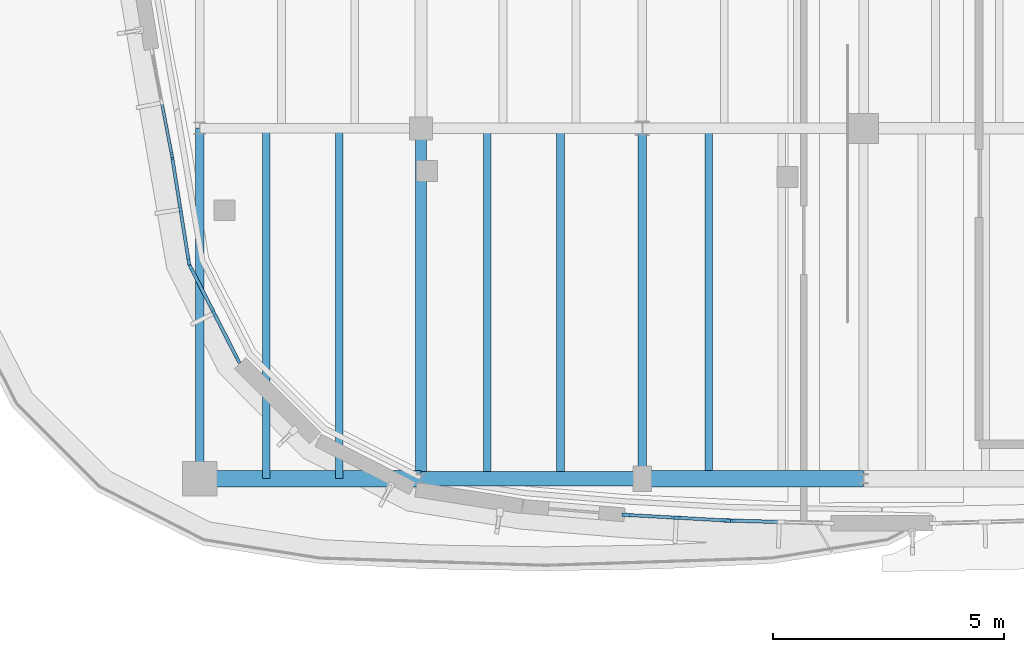
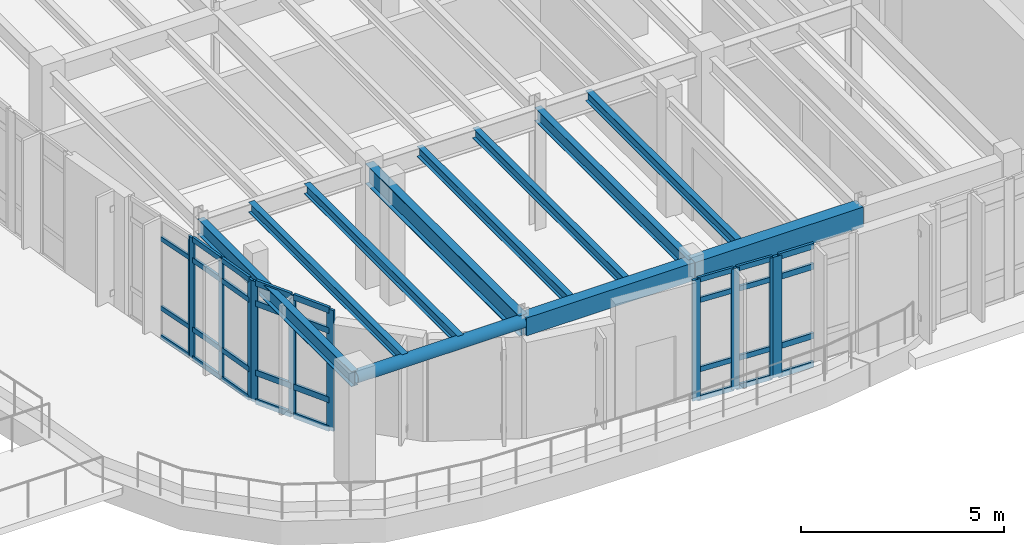
# One storey, part 40 of 105: 42 members, 11 beams, 5 elements without a shape of their own.
"""IFC4 building model written with IfcOpenShell, lengths in metres."""

import ifcopenshell
import ifcopenshell.guid

model = None  # the IFC model being written
_history = None  # IfcOwnerHistory: only IFC2X3 demands one
_inside = {}  # id of a spatial element -> (the spatial element, [elements in it])
_under = {}  # id of a project, library or spatial element -> (it, [spatial elements below it])
_declared = {}  # id of a project -> (the project, [libraries it declares])
_typed = {}  # id of a type object -> (the type object, [elements of that type])
_made_of = {}  # id of a material, layer set ... -> (it, [elements and type objects made of it])


def new_model(schema):
    """Start an empty IFC model of exactly this schema.

    Asked for "IFC4X3", IfcOpenShell would pick the latest addendum, in which some entities
    have other attributes; the version numbers below select the first issue.
    IFC2X3 requires an IfcOwnerHistory on every rooted entity: one is made here for all.
    """
    global model, _history
    if schema == "IFC4X3":
        model = ifcopenshell.file(schema_version=(4, 3, 0, 0))
    else:
        model = ifcopenshell.file(schema=schema)
    _inside.clear()
    _under.clear()
    _declared.clear()
    _typed.clear()
    _made_of.clear()
    _history = None
    if model.schema == "IFC2X3":
        org = make("IfcOrganization", Name="unknown")
        user = make(
            "IfcPersonAndOrganization",
            ThePerson=make("IfcPerson", FamilyName="unknown"),
            TheOrganization=org,
        )
        app = make(
            "IfcApplication",
            ApplicationDeveloper=org,
            Version="unknown",
            ApplicationFullName="unknown",
            ApplicationIdentifier="unknown",
        )
        _history = make(
            "IfcOwnerHistory",
            OwningUser=user,
            OwningApplication=app,
            ChangeAction="ADDED",
            CreationDate=0,
        )
    return model


def make(cls, **values):
    """One entity of the class cls with the attributes given. An attribute that is None is left unset."""
    return model.create_entity(
        cls, **{name: value for name, value in values.items() if value is not None}
    )


def rooted(cls, **values):
    """An entity with a GlobalId (a new one), such as an element, a storey or a relation."""
    return make(cls, GlobalId=ifcopenshell.guid.new(), OwnerHistory=_history, **values)


def si_unit(unit_type, name, prefix=None):
    """IfcSIUnit, for example si_unit("LENGTHUNIT", "METRE", prefix="MILLI")."""
    return make("IfcSIUnit", UnitType=unit_type, Prefix=prefix, Name=name)


def assignment(units):
    """IfcUnitAssignment: the units of a project."""
    return None if units is None else make("IfcUnitAssignment", Units=units)


def point(xyz):
    """IfcCartesianPoint."""
    return None if xyz is None else make("IfcCartesianPoint", Coordinates=xyz)


def direction(xyz):
    """IfcDirection."""
    return None if xyz is None else make("IfcDirection", DirectionRatios=xyz)


def frame(location, z_axis=None, x_axis=None):
    """IfcAxis2Placement3D, a coordinate frame: its origin and axes. An axis left out is left unset."""
    return make(
        "IfcAxis2Placement3D",
        Location=point(location),
        Axis=direction(z_axis),
        RefDirection=direction(x_axis),
    )


def frame_2d(location, x_axis=None):
    """IfcAxis2Placement2D, a coordinate frame in the plane: its origin and x axis."""
    return make(
        "IfcAxis2Placement2D", Location=point(location), RefDirection=direction(x_axis)
    )


def origin():
    """The frame at (0, 0, 0) with its axes left unset."""
    return frame((0.0, 0.0, 0.0))


def origin_2d():
    """The frame at (0, 0) in the plane with its x axis left unset."""
    return frame_2d((0.0, 0.0))


def place(relative_to, where):
    """IfcLocalPlacement: puts the frame where relative to a parent placement (None: the world)."""
    return make(
        "IfcLocalPlacement", PlacementRelTo=relative_to, RelativePlacement=where
    )


def context(
    kind, dimensions, precision=None, world=None, true_north=None, identifier=None
):
    """IfcGeometricRepresentationContext, for example the 3D "Model" context."""
    return make(
        "IfcGeometricRepresentationContext",
        ContextIdentifier=identifier,
        ContextType=kind,
        CoordinateSpaceDimension=dimensions,
        Precision=precision,
        WorldCoordinateSystem=world,
        TrueNorth=true_north,
    )


def subcontext(parent, identifier, kind, view, scale=None):
    """IfcGeometricRepresentationSubContext, for example "Body" below "Model"."""
    return make(
        "IfcGeometricRepresentationSubContext",
        ContextIdentifier=identifier,
        ContextType=kind,
        ParentContext=parent,
        TargetScale=scale,
        TargetView=view,
    )


def project(units=None, contexts=None):
    """IfcProject with its units and contexts."""
    return rooted(
        "IfcProject",
        Name="project",
        RepresentationContexts=contexts,
        UnitsInContext=assignment(units),
    )


def spatial(cls, under=None, at=None, **own):
    """A site, building, storey or space (cls), placed at a placement, below another one or the project."""
    s = rooted(cls, ObjectPlacement=at, **own)
    if under is not None:
        _under.setdefault(under.id(), (under, []))[1].append(s)
    return s


def profile(cls, at=None, kind="AREA", **sizes):
    """A parametric profile (cls). Its sizes go by their IFC names, for example OverallWidth=200.0."""
    return make(cls, ProfileType=kind, Position=at, **sizes)


def rectangle(**sizes):
    """IfcRectangleProfileDef."""
    return profile("IfcRectangleProfileDef", **sizes)


def hollow_circle(**sizes):
    """IfcCircleHollowProfileDef."""
    return profile("IfcCircleHollowProfileDef", **sizes)


def i_section(**sizes):
    """IfcIShapeProfileDef."""
    return profile("IfcIShapeProfileDef", **sizes)


def extrude(swept, where, along, depth):
    """IfcExtrudedAreaSolid: the profile swept, set in the frame where, extruded along a direction by depth."""
    return make(
        "IfcExtrudedAreaSolid",
        SweptArea=swept,
        Position=where,
        ExtrudedDirection=direction(along),
        Depth=depth,
    )


def shape(context_of_items, identifier, shape_type, items):
    """IfcShapeRepresentation: the items that make up one representation, for example the "Body"."""
    return make(
        "IfcShapeRepresentation",
        ContextOfItems=context_of_items,
        RepresentationIdentifier=identifier,
        RepresentationType=shape_type,
        Items=items,
    )


def material(Name=None, Category=None):
    """IfcMaterial."""
    return make("IfcMaterial", Name=Name, Category=Category)


def material_profile(
    of_material, cross_section, Name=None, Category=None, Priority=None
):
    """IfcMaterialProfile: a cross section and its material."""
    return make(
        "IfcMaterialProfile",
        Name=Name,
        Material=of_material,
        Profile=cross_section,
        Priority=Priority,
        Category=Category,
    )


def profile_set(profiles, Name=None, composite=None):
    """IfcMaterialProfileSet."""
    return make(
        "IfcMaterialProfileSet",
        Name=Name,
        MaterialProfiles=profiles,
        CompositeProfile=composite,
    )


def made_of(thing, what):
    """Note that an element or type object is made of a material, layer set ...; save() writes the relation."""
    if what is not None:
        _made_of.setdefault(what.id(), (what, []))[1].append(thing)
    return thing


def type_object(cls, material=None, **own):
    """A type object (cls), such as IfcWallType, which elements share."""
    return made_of(rooted(cls, **own), material)


def element(
    cls,
    number,
    at=None,
    inside=None,
    cuts=None,
    type_object=None,
    material=None,
    context=None,
    identifier="Body",
    shape_type=None,
    held_by="IfcProductDefinitionShape",
    body=None,
    shapes=None,
    **own,
):
    """One element of the class cls, such as IfcWall. Its Tag is "e" and its number.

    at: its placement. inside: the storey or other place that contains it. cuts: it is an
    opening in that element (IfcRelVoidsElement). A single representation is given by context,
    identifier, shape_type and body (its items); several are given by shapes. held_by: the class
    of the entity that holds the representations. save() writes the other relations.
    """
    e = rooted(cls, Tag="e%d" % number, ObjectPlacement=at, **own)
    if body is not None:
        shapes = [shape(context, identifier, shape_type, body)]
    if shapes is not None:
        e.Representation = make(held_by, Representations=shapes)
    if inside is not None:
        _inside.setdefault(inside.id(), (inside, []))[1].append(e)
    if cuts is not None:
        rooted(
            "IfcRelVoidsElement", RelatingBuildingElement=cuts, RelatedOpeningElement=e
        )
    if type_object is not None:
        _typed.setdefault(type_object.id(), (type_object, []))[1].append(e)
    return made_of(e, material)


def aggregate(whole, parts):
    """IfcRelAggregates: a whole, such as a stair, and the parts it consists of."""
    return rooted("IfcRelAggregates", RelatingObject=whole, RelatedObjects=parts)


def save(model, path):
    """Write the relations noted so far, then the file.

    IfcRelAggregates (storeys below a building ...), IfcRelContainedInSpatialStructure (elements
    in a storey), IfcRelDefinesByType, IfcRelAssociatesMaterial and IfcRelDeclares: one each for
    every whole, place, type object, material and project.
    """
    for whole, parts in _under.values():
        aggregate(whole, parts)
    for where, things in _inside.values():
        rooted(
            "IfcRelContainedInSpatialStructure",
            RelatedElements=things,
            RelatingStructure=where,
        )
    for kind, things in _typed.values():
        rooted("IfcRelDefinesByType", RelatedObjects=things, RelatingType=kind)
    for what, things in _made_of.values():
        rooted("IfcRelAssociatesMaterial", RelatedObjects=things, RelatingMaterial=what)
    for by, libraries in _declared.values():
        rooted("IfcRelDeclares", RelatingContext=by, RelatedDefinitions=libraries)
    model.write(path)


model = new_model("IFC4")

# Units and contexts
model_context = context("Model", 3, precision=1e-05, world=origin(), true_north=direction((0.0, 1.0)))
body_context = subcontext(model_context, "Body", "Model", "MODEL_VIEW")
ifc_project = project(units=[si_unit("LENGTHUNIT", "METRE"), si_unit("AREAUNIT", "SQUARE_METRE"), si_unit("VOLUMEUNIT", "CUBIC_METRE"), si_unit("PLANEANGLEUNIT", "RADIAN"), si_unit("MASSUNIT", "GRAM", prefix="KILO")], contexts=[model_context])

# Site, building, storey
site_placement = place(None, origin())
site = spatial("IfcSite", under=ifc_project, at=site_placement, CompositionType="ELEMENT")
building_placement = place(site_placement, origin())
building = spatial("IfcBuilding", under=site, at=building_placement, Name="Corveleigh Park Community Centre", CompositionType="ELEMENT")
storey_placement = place(building_placement, frame((0.0, 0.0, 8.699951171875)))
storey = spatial("IfcBuildingStorey", under=building, at=storey_placement, Name="L02", CompositionType="ELEMENT", Elevation=8.699951171875)

# Beams
ifc_material_1 = material(Name="Steel S355", Category="steel")
ifc_material_profile_1 = material_profile(ifc_material_1, i_section(OverallWidth=0.1650390625, OverallDepth=0.303466796875, WebThickness=0.006103515625, FlangeThickness=0.01025390625, at=origin_2d()), Name="UKB 305x165x40", Category="steel")
ifc_profile_set_1 = profile_set([ifc_material_profile_1], Name="Steel S355")
beam_type_1 = type_object("IfcBeamType", Name="BM-STL-UKB305x40", PredefinedType="JOIST", material=ifc_profile_set_1)
for number, where, z_axis, x_axis, name in (
    (1, (140.840087890625, 58.60498046875, 3.4853515625), (0.0, 1.0, 0.0), (-1.0, 0.0, 0.0), "Secondary floor joist"),
    (2, (142.424072265625, 58.60498046875, 3.4853515625), (0.0, 1.0, 0.0), (-1.0, 0.0, 0.0), "Secondary floor joist"),
):
    element("IfcBeam", number, at=place(storey_placement, frame(where, z_axis=z_axis, x_axis=x_axis)), inside=storey, type_object=beam_type_1, Name=name, PredefinedType="JOIST", context=body_context, shape_type="SweptSolid", body=[
        extrude(i_section(OverallWidth=0.1650390625, OverallDepth=0.303466796875, WebThickness=0.006103515625, FlangeThickness=0.01025390625, at=origin_2d()), origin(), (0.0, 0.0, 1.0), 7.590087890625),
    ])
ifc_material_profile_2 = material_profile(ifc_material_1, i_section(OverallWidth=0.165771484375, OverallDepth=0.306640625, WebThickness=0.006591796875, FlangeThickness=0.01171875, at=origin_2d()), Name="UKB 305x165x46", Category="steel")
ifc_profile_set_2 = profile_set([ifc_material_profile_2], Name="Steel S355")
beam_type_2 = type_object("IfcBeamType", Name="BM-STL-UKB305x46", PredefinedType="JOIST", material=ifc_profile_set_2)
for number, where, z_axis, x_axis, name in (
    (3, (145.639892578125, 58.60498046875, 3.483642578125), (0.0, 1.0, 0.0), (-1.0, 0.0, 0.0), "Secondary floor joist"),
    (4, (147.22412109375, 58.60498046875, 3.483642578125), (0.0, 1.0, 0.0), (-1.0, 0.0, 0.0), "Secondary floor joist"),
):
    element("IfcBeam", number, at=place(storey_placement, frame(where, z_axis=z_axis, x_axis=x_axis)), inside=storey, type_object=beam_type_2, Name=name, PredefinedType="JOIST", context=body_context, shape_type="SweptSolid", body=[
        extrude(i_section(OverallWidth=0.165771484375, OverallDepth=0.306640625, WebThickness=0.006591796875, FlangeThickness=0.01171875, at=origin_2d()), origin(), (0.0, 0.0, 1.0), 7.590087890625),
    ])
ifc_material_profile_3 = material_profile(ifc_material_1, i_section(OverallWidth=0.1669921875, OverallDepth=0.310302734375, WebThickness=0.0078125, FlangeThickness=0.013671875, at=origin_2d()), Name="UKB 305x165x54", Category="steel")
ifc_profile_set_3 = profile_set([ifc_material_profile_3], Name="Steel S355")
beam_type_3 = type_object("IfcBeamType", Name="BM-STL-UKB305x54", PredefinedType="JOIST", material=ifc_profile_set_3)
beam_1_placement = place(storey_placement, frame((150.43994140625, 58.60498046875, 3.48193359375), z_axis=(0.0, 1.0, 0.0), x_axis=(-1.0, 0.0, 0.0)))
element("IfcBeam", 5, at=beam_1_placement, inside=storey, type_object=beam_type_3, Name="Secondary floor joist", PredefinedType="JOIST", context=body_context, shape_type="SweptSolid", body=[
    extrude(i_section(OverallWidth=0.1669921875, OverallDepth=0.310302734375, WebThickness=0.0078125, FlangeThickness=0.013671875, at=origin_2d()), origin(), (0.0, 0.0, 1.0), 7.590087890625),
])
ifc_material_profile_4 = material_profile(ifc_material_1, i_section(OverallWidth=0.177978515625, OverallDepth=0.406494140625, WebThickness=0.0078125, FlangeThickness=0.0126953125, at=origin_2d()), Name="UKB 406x178x60", Category="steel")
ifc_profile_set_4 = profile_set([ifc_material_profile_4], Name="Steel S355")
beam_type_4 = type_object("IfcBeamType", Name="BM-STL-UKB406x60", PredefinedType="BEAM", material=ifc_profile_set_4)
beam_2_placement = place(storey_placement, frame((149.0, 58.60498046875, 3.433837890625), z_axis=(0.0, 1.0, 0.0), x_axis=(-1.0, 0.0, 0.0)))
element("IfcBeam", 6, at=beam_2_placement, inside=storey, type_object=beam_type_4, Name="V4 Girder Y", PredefinedType="BEAM", context=body_context, shape_type="SweptSolid", body=[
    extrude(i_section(OverallWidth=0.177978515625, OverallDepth=0.406494140625, WebThickness=0.0078125, FlangeThickness=0.0126953125, at=origin_2d()), origin(), (0.0, 0.0, 1.0), 7.590087890625),
])
ifc_material_profile_5 = material_profile(ifc_material_1, i_section(OverallWidth=0.19140625, OverallDepth=0.4599609375, WebThickness=0.010009765625, FlangeThickness=0.01611328125, at=origin_2d()), Name="UKB 457x191x82", Category="steel")
ifc_profile_set_5 = profile_set([ifc_material_profile_5], Name="Steel S355")
beam_type_5 = type_object("IfcBeamType", Name="BM-STL-UKB457x82", PredefinedType="BEAM", material=ifc_profile_set_5)
beam_3_placement = place(storey_placement, frame((139.39990234375, 58.60498046875, 3.406982421875), z_axis=(0.0, 1.0, 0.0), x_axis=(-1.0, 0.0, 0.0)))
element("IfcBeam", 7, at=beam_3_placement, inside=storey, type_object=beam_type_5, Name="V4 Girder Y", PredefinedType="BEAM", context=body_context, shape_type="SweptSolid", body=[
    extrude(i_section(OverallWidth=0.19140625, OverallDepth=0.4599609375, WebThickness=0.010009765625, FlangeThickness=0.01611328125, at=origin_2d()), origin(), (0.0, 0.0, 1.0), 7.590087890625),
])
ifc_material_profile_6 = material_profile(ifc_material_1, i_section(OverallWidth=0.22900390625, OverallDepth=0.6123046875, WebThickness=0.011962890625, FlangeThickness=0.01953125, at=origin_2d()), Name="UKB 610x229x125", Category="steel")
ifc_profile_set_6 = profile_set([ifc_material_profile_6], Name="Steel S355")
beam_type_6 = type_object("IfcBeamType", Name="BM-STL-UKB610x125", PredefinedType="BEAM", material=ifc_profile_set_6)
beam_4_placement = place(storey_placement, frame((144.199951171875, 58.60498046875, 3.3310546875), z_axis=(0.0, 1.0, 0.0), x_axis=(-1.0, 0.0, 0.0)))
element("IfcBeam", 8, at=beam_4_placement, inside=storey, type_object=beam_type_6, Name="V4 Girder Y", PredefinedType="BEAM", context=body_context, shape_type="SweptSolid", body=[
    extrude(i_section(OverallWidth=0.22900390625, OverallDepth=0.6123046875, WebThickness=0.011962890625, FlangeThickness=0.01953125, at=origin_2d()), origin(), (0.0, 0.0, 1.0), 7.590087890625),
])

# Curtain wall, member
ifc_material_2 = material(Name="Anodised aluminium 6063-T6", Category="aluminium")
curtain_wall_type = type_object("IfcCurtainWallType", Name="CW-SYS-V4-L01", PredefinedType="NOTDEFINED", material=ifc_material_2)
curtain_wall_1_placement = place(storey_placement, origin())
curtain_wall_1 = element("IfcCurtainWall", 9, at=curtain_wall_1_placement, inside=storey, type_object=curtain_wall_type, Name="V4 L02 Curtain Wall 397", PredefinedType="NOTDEFINED")
ifc_material_profile_7 = material_profile(ifc_material_2, rectangle(XDim=0.06005859375, YDim=0.159912109375, at=origin_2d()), Name="ALU-M60x160", Category="aluminium")
ifc_profile_set_7 = profile_set([ifc_material_profile_7], Name="Anodised aluminium 6063-T6")
member_type_1 = type_object("IfcMemberType", Name="CWM-60x160", PredefinedType="MULLION", material=ifc_profile_set_7)
member_1_placement = place(storey_placement, frame((138.792236328125, 65.638427734375, 0.0), z_axis=(0.0, 0.0, 1.0), x_axis=(-0.981960439775, -0.189086474176, 0.0)))
member_1 = element("IfcMember", 10, at=member_1_placement, type_object=member_type_1, Name="CW08 mullion 1", PredefinedType="MULLION", context=body_context, shape_type="SweptSolid", body=[
    extrude(rectangle(XDim=0.06005859375, YDim=0.159912109375, at=origin_2d()), origin(), (0.0, 0.0, 1.0), 3.636962890625),
])

# Curtain wall, members
curtain_wall_2_placement = place(storey_placement, origin())
curtain_wall_2 = element("IfcCurtainWall", 11, at=curtain_wall_2_placement, inside=storey, type_object=curtain_wall_type, Name="V4 L02 Curtain Wall 398", PredefinedType="NOTDEFINED")
ifc_material_profile_8 = material_profile(ifc_material_2, rectangle(XDim=0.06494140625, YDim=0.179931640625, at=origin_2d()), Name="ALU-M65x180", Category="aluminium")
ifc_profile_set_8 = profile_set([ifc_material_profile_8], Name="Anodised aluminium 6063-T6")
member_type_2 = type_object("IfcMemberType", Name="CWM-65x180", PredefinedType="MULLION", material=ifc_profile_set_8)
member_2_placement = place(storey_placement, frame((139.160888671875, 63.321044921875, 0.0), z_axis=(0.0, 0.0, 1.0), x_axis=(-0.987661875101, -0.156601470208, 0.0)))
member_2 = element("IfcMember", 12, at=member_2_placement, type_object=member_type_2, Name="CW08 mullion 1", PredefinedType="MULLION", context=body_context, shape_type="SweptSolid", body=[
    extrude(rectangle(XDim=0.06494140625, YDim=0.179931640625, at=origin_2d()), origin(), (0.0, 0.0, 1.0), 3.636962890625),
])
member_3_placement = place(storey_placement, frame((138.9833984375, 64.43994140625, 0.0), z_axis=(0.0, 0.0, 1.0), x_axis=(-0.987661875101, -0.156601470208, 0.0)))
member_3 = element("IfcMember", 13, at=member_3_placement, type_object=member_type_2, Name="CW08 mullion 2", PredefinedType="MULLION", context=body_context, shape_type="SweptSolid", body=[
    extrude(rectangle(XDim=0.06494140625, YDim=0.179931640625, at=origin_2d()), origin(), (0.0, 0.0, 1.0), 3.636962890625),
])
member_4_placement = place(storey_placement, frame((138.80615234375, 65.558837890625, 0.0), z_axis=(0.0, 0.0, 1.0), x_axis=(-0.987661875101, -0.156601470208, 0.0)))
member_4 = element("IfcMember", 14, at=member_4_placement, type_object=member_type_2, Name="CW08 mullion 3", PredefinedType="MULLION", context=body_context, shape_type="SweptSolid", body=[
    extrude(rectangle(XDim=0.06494140625, YDim=0.179931640625, at=origin_2d()), origin(), (0.0, 0.0, 1.0), 3.636962890625),
])

curtain_wall_3_placement = place(storey_placement, origin())
curtain_wall_3 = element("IfcCurtainWall", 15, at=curtain_wall_3_placement, inside=storey, type_object=curtain_wall_type, Name="V4 L02 Curtain Wall 399", PredefinedType="NOTDEFINED")
ifc_material_profile_9 = material_profile(ifc_material_2, rectangle(XDim=0.070068359375, YDim=0.199951171875, at=origin_2d()), Name="ALU-M70x200", Category="aluminium")
ifc_profile_set_9 = profile_set([ifc_material_profile_9], Name="Anodised aluminium 6063-T6")
member_type_3 = type_object("IfcMemberType", Name="CWM-70x200", PredefinedType="MULLION", material=ifc_profile_set_9)
member_5_placement = place(storey_placement, frame((140.218017578125, 61.1982421875, 0.0), z_axis=(0.0, 0.0, 1.0), x_axis=(-0.8909233869, -0.454153628935, 0.0)))
member_5 = element("IfcMember", 16, at=member_5_placement, type_object=member_type_3, Name="CW08 mullion 1", PredefinedType="MULLION", context=body_context, shape_type="SweptSolid", body=[
    extrude(rectangle(XDim=0.070068359375, YDim=0.199951171875, at=origin_2d()), origin(), (0.0, 0.0, 1.0), 3.636962890625),
])
member_6_placement = place(storey_placement, frame((139.71142578125, 62.19189453125, 0.0), z_axis=(0.0, 0.0, 1.0), x_axis=(-0.8909233869, -0.454153628935, 0.0)))
member_6 = element("IfcMember", 17, at=member_6_placement, type_object=member_type_3, Name="CW08 mullion 2", PredefinedType="MULLION", context=body_context, shape_type="SweptSolid", body=[
    extrude(rectangle(XDim=0.070068359375, YDim=0.199951171875, at=origin_2d()), origin(), (0.0, 0.0, 1.0), 3.636962890625),
])
member_7_placement = place(storey_placement, frame((139.204833984375, 63.185791015625, 0.0), z_axis=(0.0, 0.0, 1.0), x_axis=(-0.8909233869, -0.454153628935, 0.0)))
member_7 = element("IfcMember", 18, at=member_7_placement, type_object=member_type_3, Name="CW08 mullion 3", PredefinedType="MULLION", context=body_context, shape_type="SweptSolid", body=[
    extrude(rectangle(XDim=0.070068359375, YDim=0.199951171875, at=origin_2d()), origin(), (0.0, 0.0, 1.0), 3.636962890625),
])

curtain_wall_4_placement = place(storey_placement, origin())
curtain_wall_4 = element("IfcCurtainWall", 19, at=curtain_wall_4_placement, inside=storey, type_object=curtain_wall_type, Name="V4 L02 Curtain Wall 358", PredefinedType="NOTDEFINED")
ifc_material_profile_10 = material_profile(ifc_material_2, rectangle(XDim=0.074951171875, YDim=0.219970703125, at=origin_2d()), Name="ALU-M75x220", Category="aluminium")
ifc_profile_set_10 = profile_set([ifc_material_profile_10], Name="Anodised aluminium 6063-T6")
member_type_4 = type_object("IfcMemberType", Name="CWM-75x220", PredefinedType="MULLION", material=ifc_profile_set_10)
member_8_placement = place(storey_placement, frame((150.806640625, 57.695068359375, 0.0), z_axis=(0.0, 0.0, 1.0), x_axis=(-0.055545052181, -0.998456181902, 0.0)))
member_8 = element("IfcMember", 20, at=member_8_placement, type_object=member_type_4, Name="CW08 mullion 1", PredefinedType="MULLION", context=body_context, shape_type="SweptSolid", body=[
    extrude(rectangle(XDim=0.074951171875, YDim=0.219970703125, at=origin_2d()), origin(), (0.0, 0.0, 1.0), 3.636962890625),
])
member_9_placement = place(storey_placement, frame((149.738525390625, 57.75439453125, 0.0), z_axis=(0.0, 0.0, 1.0), x_axis=(-0.055545052181, -0.998456181902, 0.0)))
member_9 = element("IfcMember", 21, at=member_9_placement, type_object=member_type_4, Name="CW08 mullion 2", PredefinedType="MULLION", context=body_context, shape_type="SweptSolid", body=[
    extrude(rectangle(XDim=0.074951171875, YDim=0.219970703125, at=origin_2d()), origin(), (0.0, 0.0, 1.0), 3.636962890625),
])
member_10_placement = place(storey_placement, frame((148.67041015625, 57.81396484375, 0.0), z_axis=(0.0, 0.0, 1.0), x_axis=(-0.055545052181, -0.998456181902, 0.0)))
member_10 = element("IfcMember", 22, at=member_10_placement, type_object=member_type_4, Name="CW08 mullion 3", PredefinedType="MULLION", context=body_context, shape_type="SweptSolid", body=[
    extrude(rectangle(XDim=0.074951171875, YDim=0.219970703125, at=origin_2d()), origin(), (0.0, 0.0, 1.0), 3.636962890625),
])

# Curtain wall, member
curtain_wall_5_placement = place(storey_placement, origin())
curtain_wall_5 = element("IfcCurtainWall", 23, at=curtain_wall_5_placement, inside=storey, type_object=curtain_wall_type, Name="V4 L02 Curtain Wall 359", PredefinedType="NOTDEFINED")
ifc_material_profile_11 = material_profile(ifc_material_2, rectangle(XDim=0.080078125, YDim=0.25, at=origin_2d()), Name="ALU-M80x250", Category="aluminium")
ifc_profile_set_11 = profile_set([ifc_material_profile_11], Name="Anodised aluminium 6063-T6")
member_type_5 = type_object("IfcMemberType", Name="CWM-80x250", PredefinedType="MULLION", material=ifc_profile_set_11)
member_11_placement = place(storey_placement, frame((150.902099609375, 57.69189453125, 0.0), z_axis=(0.0, 0.0, 1.0), x_axis=(-0.028005278833, -0.999607775259, 0.0)))
member_11 = element("IfcMember", 24, at=member_11_placement, type_object=member_type_5, Name="CW08 mullion 3", PredefinedType="MULLION", context=body_context, shape_type="SweptSolid", body=[
    extrude(rectangle(XDim=0.080078125, YDim=0.25, at=origin_2d()), origin(), (0.0, 0.0, 1.0), 3.636962890625),
])

# Member
ifc_material_profile_12 = material_profile(ifc_material_2, rectangle(XDim=0.06494140625, YDim=0.139892578125, at=origin_2d()), Name="ALU-T65x140", Category="aluminium")
ifc_profile_set_12 = profile_set([ifc_material_profile_12], Name="Anodised aluminium 6063-T6")
member_type_6 = type_object("IfcMemberType", Name="CWT-65x140", PredefinedType="USERDEFINED", material=ifc_profile_set_12)
member_12_placement = place(storey_placement, frame((138.78662109375, 65.66796875, 0.032470703125), z_axis=(-0.189024561252, 0.981972359715, 0.0), x_axis=(-0.981972359715, -0.189024561252, 0.0)))
member_12 = element("IfcMember", 25, at=member_12_placement, type_object=member_type_6, Name="CW08 transom 1.1", ObjectType="TRANSOM", PredefinedType="USERDEFINED", context=body_context, shape_type="SweptSolid", body=[
    extrude(rectangle(XDim=0.06494140625, YDim=0.139892578125, at=origin_2d()), origin(), (0.0, 0.0, 1.0), 1.0732421875),
])

member_13_placement = place(storey_placement, frame((138.78662109375, 65.66796875, 0.900146484375), z_axis=(-0.189024561252, 0.981972359715, 0.0), x_axis=(-0.981972359715, -0.189024561252, 0.0)))
member_13 = element("IfcMember", 26, at=member_13_placement, type_object=member_type_6, Name="CW08 transom 1.2", ObjectType="TRANSOM", PredefinedType="USERDEFINED", context=body_context, shape_type="SweptSolid", body=[
    extrude(rectangle(XDim=0.06494140625, YDim=0.139892578125, at=origin_2d()), origin(), (0.0, 0.0, 1.0), 1.0732421875),
])

member_14_placement = place(storey_placement, frame((138.78662109375, 65.66796875, 2.987060546875), z_axis=(-0.189024561252, 0.981972359715, 0.0), x_axis=(-0.981972359715, -0.189024561252, 0.0)))
member_14 = element("IfcMember", 27, at=member_14_placement, type_object=member_type_6, Name="CW08 transom 1.3", ObjectType="TRANSOM", PredefinedType="USERDEFINED", context=body_context, shape_type="SweptSolid", body=[
    extrude(rectangle(XDim=0.06494140625, YDim=0.139892578125, at=origin_2d()), origin(), (0.0, 0.0, 1.0), 1.0732421875),
])

aggregate(curtain_wall_1, [member_1, member_12, member_13, member_14])

ifc_material_profile_13 = material_profile(ifc_material_2, rectangle(XDim=0.070068359375, YDim=0.155029296875, at=origin_2d()), Name="ALU-T70x155", Category="aluminium")
ifc_profile_set_13 = profile_set([ifc_material_profile_13], Name="Anodised aluminium 6063-T6")
member_type_7 = type_object("IfcMemberType", Name="CWT-70x155", PredefinedType="USERDEFINED", material=ifc_profile_set_13)
member_15_placement = place(storey_placement, frame((150.76904296875, 57.697265625, 0.03515625), z_axis=(-0.998460353205, 0.055470019623, 0.0), x_axis=(-0.055470019623, -0.998460353205, 0.0)))
member_15 = element("IfcMember", 28, at=member_15_placement, type_object=member_type_7, Name="CW08 transom 1.1", ObjectType="TRANSOM", PredefinedType="USERDEFINED", context=body_context, shape_type="SweptSolid", body=[
    extrude(rectangle(XDim=0.070068359375, YDim=0.155029296875, at=origin_2d()), origin(), (0.0, 0.0, 1.0), 0.99462890625),
])

member_16_placement = place(storey_placement, frame((150.76904296875, 57.697265625, 0.900146484375), z_axis=(-0.998460353205, 0.055470019623, 0.0), x_axis=(-0.055470019623, -0.998460353205, 0.0)))
member_16 = element("IfcMember", 29, at=member_16_placement, type_object=member_type_7, Name="CW08 transom 1.2", ObjectType="TRANSOM", PredefinedType="USERDEFINED", context=body_context, shape_type="SweptSolid", body=[
    extrude(rectangle(XDim=0.070068359375, YDim=0.155029296875, at=origin_2d()), origin(), (0.0, 0.0, 1.0), 0.99462890625),
])

member_17_placement = place(storey_placement, frame((150.76904296875, 57.697265625, 2.987060546875), z_axis=(-0.998460353205, 0.055470019623, 0.0), x_axis=(-0.055470019623, -0.998460353205, 0.0)))
member_17 = element("IfcMember", 30, at=member_17_placement, type_object=member_type_7, Name="CW08 transom 1.3", ObjectType="TRANSOM", PredefinedType="USERDEFINED", context=body_context, shape_type="SweptSolid", body=[
    extrude(rectangle(XDim=0.070068359375, YDim=0.155029296875, at=origin_2d()), origin(), (0.0, 0.0, 1.0), 0.99462890625),
])

member_18_placement = place(storey_placement, frame((150.76904296875, 57.697265625, 3.60205078125), z_axis=(-0.998460353205, 0.055470019623, 0.0), x_axis=(-0.055470019623, -0.998460353205, 0.0)))
member_18 = element("IfcMember", 31, at=member_18_placement, type_object=member_type_7, Name="CW08 transom 1.4", ObjectType="TRANSOM", PredefinedType="USERDEFINED", context=body_context, shape_type="SweptSolid", body=[
    extrude(rectangle(XDim=0.070068359375, YDim=0.155029296875, at=origin_2d()), origin(), (0.0, 0.0, 1.0), 0.99462890625),
])

member_19_placement = place(storey_placement, frame((149.701171875, 57.756591796875, 0.03515625), z_axis=(-0.998461108136, 0.055456429206, 0.0), x_axis=(-0.055456429206, -0.998461108136, 0.0)))
member_19 = element("IfcMember", 32, at=member_19_placement, type_object=member_type_7, Name="CW08 transom 2.1", ObjectType="TRANSOM", PredefinedType="USERDEFINED", context=body_context, shape_type="SweptSolid", body=[
    extrude(rectangle(XDim=0.070068359375, YDim=0.155029296875, at=origin_2d()), origin(), (0.0, 0.0, 1.0), 0.994873046875),
])

member_20_placement = place(storey_placement, frame((149.701171875, 57.756591796875, 0.900146484375), z_axis=(-0.998461108136, 0.055456429206, 0.0), x_axis=(-0.055456429206, -0.998461108136, 0.0)))
member_20 = element("IfcMember", 33, at=member_20_placement, type_object=member_type_7, Name="CW08 transom 2.2", ObjectType="TRANSOM", PredefinedType="USERDEFINED", context=body_context, shape_type="SweptSolid", body=[
    extrude(rectangle(XDim=0.070068359375, YDim=0.155029296875, at=origin_2d()), origin(), (0.0, 0.0, 1.0), 0.994873046875),
])

member_21_placement = place(storey_placement, frame((149.701171875, 57.756591796875, 2.987060546875), z_axis=(-0.998461108136, 0.055456429206, 0.0), x_axis=(-0.055456429206, -0.998461108136, 0.0)))
member_21 = element("IfcMember", 34, at=member_21_placement, type_object=member_type_7, Name="CW08 transom 2.3", ObjectType="TRANSOM", PredefinedType="USERDEFINED", context=body_context, shape_type="SweptSolid", body=[
    extrude(rectangle(XDim=0.070068359375, YDim=0.155029296875, at=origin_2d()), origin(), (0.0, 0.0, 1.0), 0.994873046875),
])

member_22_placement = place(storey_placement, frame((149.701171875, 57.756591796875, 3.60205078125), z_axis=(-0.998461108136, 0.055456429206, 0.0), x_axis=(-0.055456429206, -0.998461108136, 0.0)))
member_22 = element("IfcMember", 35, at=member_22_placement, type_object=member_type_7, Name="CW08 transom 2.4", ObjectType="TRANSOM", PredefinedType="USERDEFINED", context=body_context, shape_type="SweptSolid", body=[
    extrude(rectangle(XDim=0.070068359375, YDim=0.155029296875, at=origin_2d()), origin(), (0.0, 0.0, 1.0), 0.994873046875),
])

aggregate(curtain_wall_4, [member_8, member_9, member_10, member_15, member_16, member_17, member_18, member_19, member_20, member_21, member_22])

member_23_placement = place(storey_placement, frame((139.15576171875, 63.353271484375, 0.03515625), z_axis=(-0.15660825182, 0.9876607998, 0.0), x_axis=(-0.9876607998, -0.15660825182, 0.0)))
member_23 = element("IfcMember", 36, at=member_23_placement, type_object=member_type_7, Name="CW08 transom 1.1", ObjectType="TRANSOM", PredefinedType="USERDEFINED", context=body_context, shape_type="SweptSolid", body=[
    extrude(rectangle(XDim=0.070068359375, YDim=0.155029296875, at=origin_2d()), origin(), (0.0, 0.0, 1.0), 1.06787109375),
])

member_24_placement = place(storey_placement, frame((139.15576171875, 63.353271484375, 0.900146484375), z_axis=(-0.15660825182, 0.9876607998, 0.0), x_axis=(-0.9876607998, -0.15660825182, 0.0)))
member_24 = element("IfcMember", 37, at=member_24_placement, type_object=member_type_7, Name="CW08 transom 1.2", ObjectType="TRANSOM", PredefinedType="USERDEFINED", context=body_context, shape_type="SweptSolid", body=[
    extrude(rectangle(XDim=0.070068359375, YDim=0.155029296875, at=origin_2d()), origin(), (0.0, 0.0, 1.0), 1.06787109375),
])

member_25_placement = place(storey_placement, frame((139.15576171875, 63.353271484375, 2.987060546875), z_axis=(-0.15660825182, 0.9876607998, 0.0), x_axis=(-0.9876607998, -0.15660825182, 0.0)))
member_25 = element("IfcMember", 38, at=member_25_placement, type_object=member_type_7, Name="CW08 transom 1.3", ObjectType="TRANSOM", PredefinedType="USERDEFINED", context=body_context, shape_type="SweptSolid", body=[
    extrude(rectangle(XDim=0.070068359375, YDim=0.155029296875, at=origin_2d()), origin(), (0.0, 0.0, 1.0), 1.06787109375),
])

member_26_placement = place(storey_placement, frame((139.15576171875, 63.353271484375, 3.60205078125), z_axis=(-0.15660825182, 0.9876607998, 0.0), x_axis=(-0.9876607998, -0.15660825182, 0.0)))
member_26 = element("IfcMember", 39, at=member_26_placement, type_object=member_type_7, Name="CW08 transom 1.4", ObjectType="TRANSOM", PredefinedType="USERDEFINED", context=body_context, shape_type="SweptSolid", body=[
    extrude(rectangle(XDim=0.070068359375, YDim=0.155029296875, at=origin_2d()), origin(), (0.0, 0.0, 1.0), 1.06787109375),
])

member_27_placement = place(storey_placement, frame((138.978515625, 64.47216796875, 0.03515625), z_axis=(-0.15660825182, 0.9876607998, 0.0), x_axis=(-0.9876607998, -0.15660825182, 0.0)))
member_27 = element("IfcMember", 40, at=member_27_placement, type_object=member_type_7, Name="CW08 transom 2.1", ObjectType="TRANSOM", PredefinedType="USERDEFINED", context=body_context, shape_type="SweptSolid", body=[
    extrude(rectangle(XDim=0.070068359375, YDim=0.155029296875, at=origin_2d()), origin(), (0.0, 0.0, 1.0), 1.06787109375),
])

member_28_placement = place(storey_placement, frame((138.978515625, 64.47216796875, 0.900146484375), z_axis=(-0.15660825182, 0.9876607998, 0.0), x_axis=(-0.9876607998, -0.15660825182, 0.0)))
member_28 = element("IfcMember", 41, at=member_28_placement, type_object=member_type_7, Name="CW08 transom 2.2", ObjectType="TRANSOM", PredefinedType="USERDEFINED", context=body_context, shape_type="SweptSolid", body=[
    extrude(rectangle(XDim=0.070068359375, YDim=0.155029296875, at=origin_2d()), origin(), (0.0, 0.0, 1.0), 1.06787109375),
])

member_29_placement = place(storey_placement, frame((138.978515625, 64.47216796875, 2.987060546875), z_axis=(-0.15660825182, 0.9876607998, 0.0), x_axis=(-0.9876607998, -0.15660825182, 0.0)))
member_29 = element("IfcMember", 42, at=member_29_placement, type_object=member_type_7, Name="CW08 transom 2.3", ObjectType="TRANSOM", PredefinedType="USERDEFINED", context=body_context, shape_type="SweptSolid", body=[
    extrude(rectangle(XDim=0.070068359375, YDim=0.155029296875, at=origin_2d()), origin(), (0.0, 0.0, 1.0), 1.06787109375),
])

member_30_placement = place(storey_placement, frame((138.978515625, 64.47216796875, 3.60205078125), z_axis=(-0.15660825182, 0.9876607998, 0.0), x_axis=(-0.9876607998, -0.15660825182, 0.0)))
member_30 = element("IfcMember", 43, at=member_30_placement, type_object=member_type_7, Name="CW08 transom 2.4", ObjectType="TRANSOM", PredefinedType="USERDEFINED", context=body_context, shape_type="SweptSolid", body=[
    extrude(rectangle(XDim=0.070068359375, YDim=0.155029296875, at=origin_2d()), origin(), (0.0, 0.0, 1.0), 1.06787109375),
])

aggregate(curtain_wall_2, [member_2, member_3, member_4, member_23, member_24, member_25, member_26, member_27, member_28, member_29, member_30])

ifc_material_profile_14 = material_profile(ifc_material_2, rectangle(XDim=0.074951171875, YDim=0.175048828125, at=origin_2d()), Name="ALU-T75x175", Category="aluminium")
ifc_profile_set_14 = profile_set([ifc_material_profile_14], Name="Anodised aluminium 6063-T6")
member_type_8 = type_object("IfcMemberType", Name="CWT-75x175", PredefinedType="USERDEFINED", material=ifc_profile_set_14)
member_31_placement = place(storey_placement, frame((151.928466796875, 57.6630859375, 0.03759765625), z_axis=(-0.999609253961, 0.027952448824, 0.0), x_axis=(-0.027952448824, -0.999609253961, 0.0)))
member_31 = element("IfcMember", 44, at=member_31_placement, type_object=member_type_8, Name="CW08 transom 2.1", ObjectType="TRANSOM", PredefinedType="USERDEFINED", context=body_context, shape_type="SweptSolid", body=[
    extrude(rectangle(XDim=0.074951171875, YDim=0.175048828125, at=origin_2d()), origin(), (0.0, 0.0, 1.0), 0.987060546875),
])

member_32_placement = place(storey_placement, frame((151.928466796875, 57.6630859375, 0.900146484375), z_axis=(-0.999609253961, 0.027952448824, 0.0), x_axis=(-0.027952448824, -0.999609253961, 0.0)))
member_32 = element("IfcMember", 45, at=member_32_placement, type_object=member_type_8, Name="CW08 transom 2.2", ObjectType="TRANSOM", PredefinedType="USERDEFINED", context=body_context, shape_type="SweptSolid", body=[
    extrude(rectangle(XDim=0.074951171875, YDim=0.175048828125, at=origin_2d()), origin(), (0.0, 0.0, 1.0), 0.987060546875),
])

member_33_placement = place(storey_placement, frame((151.928466796875, 57.6630859375, 2.987060546875), z_axis=(-0.999609253961, 0.027952448824, 0.0), x_axis=(-0.027952448824, -0.999609253961, 0.0)))
member_33 = element("IfcMember", 46, at=member_33_placement, type_object=member_type_8, Name="CW08 transom 2.3", ObjectType="TRANSOM", PredefinedType="USERDEFINED", context=body_context, shape_type="SweptSolid", body=[
    extrude(rectangle(XDim=0.074951171875, YDim=0.175048828125, at=origin_2d()), origin(), (0.0, 0.0, 1.0), 0.987060546875),
])

member_34_placement = place(storey_placement, frame((151.928466796875, 57.6630859375, 3.599609375), z_axis=(-0.999609253961, 0.027952448824, 0.0), x_axis=(-0.027952448824, -0.999609253961, 0.0)))
member_34 = element("IfcMember", 47, at=member_34_placement, type_object=member_type_8, Name="CW08 transom 2.4", ObjectType="TRANSOM", PredefinedType="USERDEFINED", context=body_context, shape_type="SweptSolid", body=[
    extrude(rectangle(XDim=0.074951171875, YDim=0.175048828125, at=origin_2d()), origin(), (0.0, 0.0, 1.0), 0.987060546875),
])

aggregate(curtain_wall_5, [member_11, member_31, member_32, member_33, member_34])

member_35_placement = place(storey_placement, frame((140.2021484375, 61.229248046875, 0.03759765625), z_axis=(-0.45411114032, 0.890945044454, 0.0), x_axis=(-0.890945044454, -0.45411114032, 0.0)))
member_35 = element("IfcMember", 48, at=member_35_placement, type_object=member_type_8, Name="CW08 transom 1.1", ObjectType="TRANSOM", PredefinedType="USERDEFINED", context=body_context, shape_type="SweptSolid", body=[
    extrude(rectangle(XDim=0.074951171875, YDim=0.175048828125, at=origin_2d()), origin(), (0.0, 0.0, 1.0), 1.045654296875),
])

member_36_placement = place(storey_placement, frame((140.2021484375, 61.229248046875, 0.900146484375), z_axis=(-0.45411114032, 0.890945044454, 0.0), x_axis=(-0.890945044454, -0.45411114032, 0.0)))
member_36 = element("IfcMember", 49, at=member_36_placement, type_object=member_type_8, Name="CW08 transom 1.2", ObjectType="TRANSOM", PredefinedType="USERDEFINED", context=body_context, shape_type="SweptSolid", body=[
    extrude(rectangle(XDim=0.074951171875, YDim=0.175048828125, at=origin_2d()), origin(), (0.0, 0.0, 1.0), 1.045654296875),
])

member_37_placement = place(storey_placement, frame((140.2021484375, 61.229248046875, 2.987060546875), z_axis=(-0.45411114032, 0.890945044454, 0.0), x_axis=(-0.890945044454, -0.45411114032, 0.0)))
member_37 = element("IfcMember", 50, at=member_37_placement, type_object=member_type_8, Name="CW08 transom 1.3", ObjectType="TRANSOM", PredefinedType="USERDEFINED", context=body_context, shape_type="SweptSolid", body=[
    extrude(rectangle(XDim=0.074951171875, YDim=0.175048828125, at=origin_2d()), origin(), (0.0, 0.0, 1.0), 1.045654296875),
])

member_38_placement = place(storey_placement, frame((140.2021484375, 61.229248046875, 3.599609375), z_axis=(-0.45411114032, 0.890945044454, 0.0), x_axis=(-0.890945044454, -0.45411114032, 0.0)))
member_38 = element("IfcMember", 51, at=member_38_placement, type_object=member_type_8, Name="CW08 transom 1.4", ObjectType="TRANSOM", PredefinedType="USERDEFINED", context=body_context, shape_type="SweptSolid", body=[
    extrude(rectangle(XDim=0.074951171875, YDim=0.175048828125, at=origin_2d()), origin(), (0.0, 0.0, 1.0), 1.045654296875),
])

member_39_placement = place(storey_placement, frame((139.695556640625, 62.22314453125, 0.03759765625), z_axis=(-0.454205619091, 0.89089688269, 0.0), x_axis=(-0.89089688269, -0.454205619091, 0.0)))
member_39 = element("IfcMember", 52, at=member_39_placement, type_object=member_type_8, Name="CW08 transom 2.1", ObjectType="TRANSOM", PredefinedType="USERDEFINED", context=body_context, shape_type="SweptSolid", body=[
    extrude(rectangle(XDim=0.074951171875, YDim=0.175048828125, at=origin_2d()), origin(), (0.0, 0.0, 1.0), 1.04541015625),
])

member_40_placement = place(storey_placement, frame((139.695556640625, 62.22314453125, 0.900146484375), z_axis=(-0.454205619091, 0.89089688269, 0.0), x_axis=(-0.89089688269, -0.454205619091, 0.0)))
member_40 = element("IfcMember", 53, at=member_40_placement, type_object=member_type_8, Name="CW08 transom 2.2", ObjectType="TRANSOM", PredefinedType="USERDEFINED", context=body_context, shape_type="SweptSolid", body=[
    extrude(rectangle(XDim=0.074951171875, YDim=0.175048828125, at=origin_2d()), origin(), (0.0, 0.0, 1.0), 1.04541015625),
])

member_41_placement = place(storey_placement, frame((139.695556640625, 62.22314453125, 2.987060546875), z_axis=(-0.454205619091, 0.89089688269, 0.0), x_axis=(-0.89089688269, -0.454205619091, 0.0)))
member_41 = element("IfcMember", 54, at=member_41_placement, type_object=member_type_8, Name="CW08 transom 2.3", ObjectType="TRANSOM", PredefinedType="USERDEFINED", context=body_context, shape_type="SweptSolid", body=[
    extrude(rectangle(XDim=0.074951171875, YDim=0.175048828125, at=origin_2d()), origin(), (0.0, 0.0, 1.0), 1.04541015625),
])

member_42_placement = place(storey_placement, frame((139.695556640625, 62.22314453125, 3.599609375), z_axis=(-0.454205619091, 0.89089688269, 0.0), x_axis=(-0.89089688269, -0.454205619091, 0.0)))
member_42 = element("IfcMember", 55, at=member_42_placement, type_object=member_type_8, Name="CW08 transom 2.4", ObjectType="TRANSOM", PredefinedType="USERDEFINED", context=body_context, shape_type="SweptSolid", body=[
    extrude(rectangle(XDim=0.074951171875, YDim=0.175048828125, at=origin_2d()), origin(), (0.0, 0.0, 1.0), 1.04541015625),
])

aggregate(curtain_wall_3, [member_5, member_6, member_7, member_35, member_36, member_37, member_38, member_39, member_40, member_41, member_42])

# Beams
ifc_material_3 = material(Name="Concrete C40/50", Category="concrete")
ifc_material_profile_15 = material_profile(ifc_material_3, rectangle(XDim=0.320068359375, YDim=0.5400390625, at=origin_2d()), Name="RC-320x540", Category="concrete")
ifc_profile_set_15 = profile_set([ifc_material_profile_15], Name="Concrete C40/50")
beam_type_7 = type_object("IfcBeamType", Name="SP-RC-320x540", PredefinedType="SPANDREL", material=ifc_profile_set_15)
beam_5_placement = place(storey_placement, frame((144.205078125, 58.60009765625, 3.366943359375), z_axis=(1.0, 0.0, 0.0), x_axis=(0.0, 1.0, 0.0)))
element("IfcBeam", 56, at=beam_5_placement, inside=storey, type_object=beam_type_7, Name="V4 Girder X", PredefinedType="SPANDREL", context=body_context, shape_type="SweptSolid", body=[
    extrude(rectangle(XDim=0.320068359375, YDim=0.5400390625, at=origin_2d()), origin(), (0.0, 0.0, 1.0), 4.7900390625),
])
ifc_material_profile_16 = material_profile(ifc_material_3, rectangle(XDim=0.35009765625, YDim=0.60009765625, at=origin_2d()), Name="RC-350x600", Category="concrete")
ifc_profile_set_16 = profile_set([ifc_material_profile_16], Name="Concrete C40/50")
beam_type_8 = type_object("IfcBeamType", Name="SP-RC-350x600", PredefinedType="SPANDREL", material=ifc_profile_set_16)
beam_6_placement = place(storey_placement, frame((149.0048828125, 58.60009765625, 3.337158203125), z_axis=(1.0, 0.0, 0.0), x_axis=(0.0, 1.0, 0.0)))
element("IfcBeam", 57, at=beam_6_placement, inside=storey, type_object=beam_type_8, Name="V4 Girder X", PredefinedType="SPANDREL", context=body_context, shape_type="SweptSolid", body=[
    extrude(rectangle(XDim=0.35009765625, YDim=0.60009765625, at=origin_2d()), origin(), (0.0, 0.0, 1.0), 4.7900390625),
])
ifc_material_profile_17 = material_profile(ifc_material_1, hollow_circle(Radius=0.177734375, WallThickness=0.01611328125, at=origin_2d()), Name="CHS 355.6x16.0", Category="steel")
ifc_profile_set_17 = profile_set([ifc_material_profile_17], Name="Steel S355")
beam_type_9 = type_object("IfcBeamType", Name="SP-STL-CHS356R", PredefinedType="SPANDREL", material=ifc_profile_set_17)
beam_7_placement = place(storey_placement, frame((139.405029296875, 58.60009765625, 3.459228515625), z_axis=(1.0, 0.0, 0.0), x_axis=(0.0, 1.0, 0.0)))
element("IfcBeam", 58, at=beam_7_placement, inside=storey, type_object=beam_type_9, Name="V4 Girder X", PredefinedType="SPANDREL", context=body_context, shape_type="SweptSolid", body=[
    extrude(hollow_circle(Radius=0.177734375, WallThickness=0.01611328125, at=origin_2d()), origin(), (0.0, 0.0, 1.0), 4.7900390625),
])

save(model, "model.ifc")
